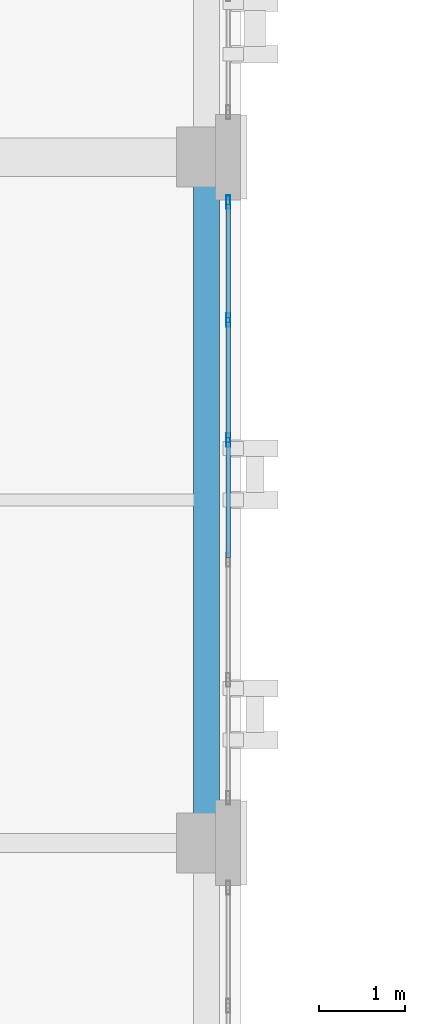
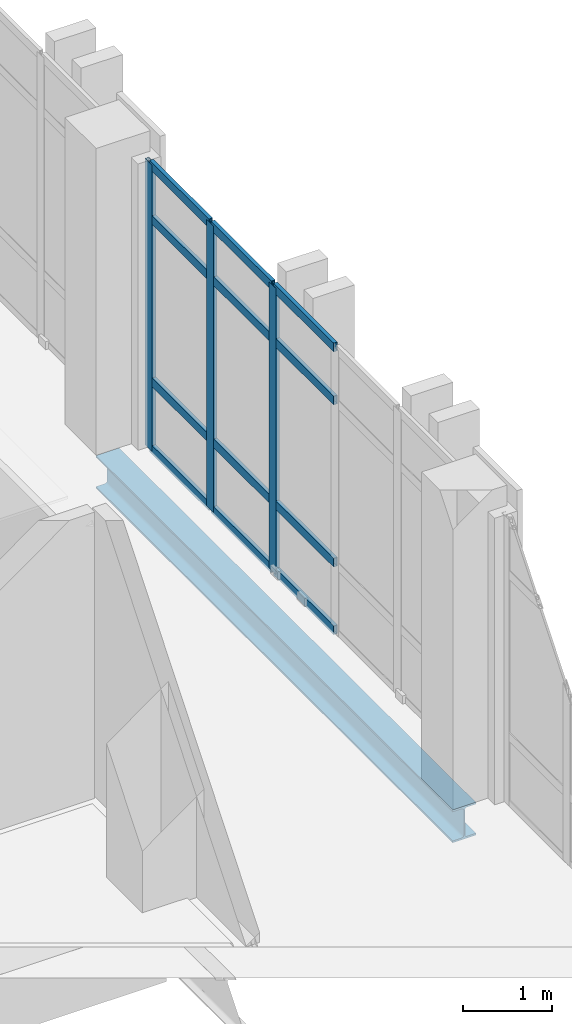
# One storey, part 34 of 165: 15 members, 1 beam, 1 element without a shape of its own.
"""IFC4 building model written with IfcOpenShell, lengths in metres."""

from ifc_helpers import new_model, si_unit, direction, frame, origin, origin_2d, place, context, subcontext, project, spatial, hollow_rectangle, i_section, extrude, material, layer, layer_set, material_profile, profile_set, type_object, element, aggregate, save


model = new_model("IFC4")

# Units and contexts
model_context = context("Model", 3, precision=1e-05, world=origin(), true_north=direction((0.0, 1.0)))
body_context = subcontext(model_context, "Body", "Model", "MODEL_VIEW")
ifc_project = project(units=[si_unit("LENGTHUNIT", "METRE"), si_unit("AREAUNIT", "SQUARE_METRE"), si_unit("VOLUMEUNIT", "CUBIC_METRE"), si_unit("PLANEANGLEUNIT", "RADIAN"), si_unit("MASSUNIT", "GRAM", prefix="KILO")], contexts=[model_context])

# Site, building, storey
site_placement = place(None, origin())
site = spatial("IfcSite", under=ifc_project, at=site_placement, CompositionType="ELEMENT")
building_placement = place(site_placement, origin())
building = spatial("IfcBuilding", under=site, at=building_placement, Name="Qalavern Law Courts", CompositionType="ELEMENT")
storey_placement = place(building_placement, frame((0.0, 0.0, 14.39990234375)))
storey = spatial("IfcBuildingStorey", under=building, at=storey_placement, Name="L03", CompositionType="ELEMENT", Elevation=14.39990234375)

# Curtain wall, members
ifc_material_1 = material(Name="Anodised aluminium and insulated glazing", Category="aluminium")
ifc_layer = layer(ifc_material_1, 0.172119140625)
ifc_layer_set = layer_set([ifc_layer], Name="Anodised aluminium and insulated glazing")
curtain_wall_type = type_object("IfcCurtainWallType", Name="ENV-CW-COURT", PredefinedType="USERDEFINED", material=ifc_layer_set)
curtain_wall_placement = place(storey_placement, origin())
curtain_wall = element("IfcCurtainWall", 1, at=curtain_wall_placement, inside=storey, type_object=curtain_wall_type, Name="V3 unitised curtain wall L03 east 3", ObjectType="UNITISED CURTAIN WALL", PredefinedType="USERDEFINED")
ifc_material_2 = material(Name="Anodised aluminium", Category="aluminium")
ifc_material_profile_1 = material_profile(ifc_material_2, hollow_rectangle(XDim=0.048095703125, YDim=0.159912109375, WallThickness=0.00390625, at=origin_2d()), Name="ALU MULLION 48x160")
ifc_profile_set_1 = profile_set([ifc_material_profile_1], Name="Anodised aluminium")
member_type_1 = type_object("IfcMemberType", Name="ENV-CWM-48x160", PredefinedType="MULLION", material=ifc_profile_set_1)
member_1_placement = place(storey_placement, frame((18.652587890625, 62.10009765625, 0.0), z_axis=(0.0, 0.0, 1.0), x_axis=(-1.0, 0.0, 0.0)))
member_1 = element("IfcMember", 2, at=member_1_placement, type_object=member_type_1, Name="CW-03 mullion 4", PredefinedType="MULLION", context=body_context, shape_type="SweptSolid", body=[
    extrude(hollow_rectangle(XDim=0.048095703125, YDim=0.159912109375, WallThickness=0.00390625, at=origin_2d()), origin(), (0.0, 0.0, 1.0), 3.920166015625),
])
member_2_placement = place(storey_placement, frame((18.652587890625, 63.5, 0.0), z_axis=(0.0, 0.0, 1.0), x_axis=(-1.0, 0.0, 0.0)))
member_2 = element("IfcMember", 3, at=member_2_placement, type_object=member_type_1, Name="CW-03 mullion 5", PredefinedType="MULLION", context=body_context, shape_type="SweptSolid", body=[
    extrude(hollow_rectangle(XDim=0.048095703125, YDim=0.159912109375, WallThickness=0.00390625, at=origin_2d()), origin(), (0.0, 0.0, 1.0), 3.920166015625),
])
member_3_placement = place(storey_placement, frame((18.652587890625, 64.8759765625, 0.0), z_axis=(0.0, 0.0, 1.0), x_axis=(-1.0, 0.0, 0.0)))
member_3 = element("IfcMember", 4, at=member_3_placement, type_object=member_type_1, Name="CW-03 mullion 6", PredefinedType="MULLION", context=body_context, shape_type="SweptSolid", body=[
    extrude(hollow_rectangle(XDim=0.048095703125, YDim=0.159912109375, WallThickness=0.00390625, at=origin_2d()), origin(), (0.0, 0.0, 1.0), 3.920166015625),
])
ifc_material_profile_2 = material_profile(ifc_material_2, hollow_rectangle(XDim=0.048095703125, YDim=0.1201171875, WallThickness=0.00390625, at=origin_2d()), Name="ALU TRANSOM 48x120")
ifc_profile_set_2 = profile_set([ifc_material_profile_2], Name="Anodised aluminium")
member_type_2 = type_object("IfcMemberType", Name="ENV-CWT-48x120", PredefinedType="USERDEFINED", material=ifc_profile_set_2)
member_4_placement = place(storey_placement, frame((18.652587890625, 60.72412109375, 0.024169921875), z_axis=(0.0, 1.0, 0.0), x_axis=(-1.0, 0.0, 0.0)))
member_4 = element("IfcMember", 5, at=member_4_placement, type_object=member_type_2, Name="CW-03 transom 3.1", ObjectType="TRANSOM", PredefinedType="USERDEFINED", context=body_context, shape_type="SweptSolid", body=[
    extrude(hollow_rectangle(XDim=0.048095703125, YDim=0.1201171875, WallThickness=0.00390625, at=origin_2d()), origin(), (0.0, 0.0, 1.0), 1.351806640625),
])
member_5_placement = place(storey_placement, frame((18.652587890625, 60.72412109375, 0.9501953125), z_axis=(0.0, 1.0, 0.0), x_axis=(-1.0, 0.0, 0.0)))
member_5 = element("IfcMember", 6, at=member_5_placement, type_object=member_type_2, Name="CW-03 transom 3.2", ObjectType="TRANSOM", PredefinedType="USERDEFINED", context=body_context, shape_type="SweptSolid", body=[
    extrude(hollow_rectangle(XDim=0.048095703125, YDim=0.1201171875, WallThickness=0.00390625, at=origin_2d()), origin(), (0.0, 0.0, 1.0), 1.351806640625),
])
member_6_placement = place(storey_placement, frame((18.652587890625, 60.72412109375, 3.170166015625), z_axis=(0.0, 1.0, 0.0), x_axis=(-1.0, 0.0, 0.0)))
member_6 = element("IfcMember", 7, at=member_6_placement, type_object=member_type_2, Name="CW-03 transom 3.3", ObjectType="TRANSOM", PredefinedType="USERDEFINED", context=body_context, shape_type="SweptSolid", body=[
    extrude(hollow_rectangle(XDim=0.048095703125, YDim=0.1201171875, WallThickness=0.00390625, at=origin_2d()), origin(), (0.0, 0.0, 1.0), 1.351806640625),
])
member_7_placement = place(storey_placement, frame((18.652587890625, 60.72412109375, 3.89599609375), z_axis=(0.0, 1.0, 0.0), x_axis=(-1.0, 0.0, 0.0)))
member_7 = element("IfcMember", 8, at=member_7_placement, type_object=member_type_2, Name="CW-03 transom 3.4", ObjectType="TRANSOM", PredefinedType="USERDEFINED", context=body_context, shape_type="SweptSolid", body=[
    extrude(hollow_rectangle(XDim=0.048095703125, YDim=0.1201171875, WallThickness=0.00390625, at=origin_2d()), origin(), (0.0, 0.0, 1.0), 1.351806640625),
])
member_8_placement = place(storey_placement, frame((18.652587890625, 62.1240234375, 0.024169921875), z_axis=(0.0, 1.0, 0.0), x_axis=(-1.0, 0.0, 0.0)))
member_8 = element("IfcMember", 9, at=member_8_placement, type_object=member_type_2, Name="CW-03 transom 4.1", ObjectType="TRANSOM", PredefinedType="USERDEFINED", context=body_context, shape_type="SweptSolid", body=[
    extrude(hollow_rectangle(XDim=0.048095703125, YDim=0.1201171875, WallThickness=0.00390625, at=origin_2d()), origin(), (0.0, 0.0, 1.0), 1.35205078125),
])
member_9_placement = place(storey_placement, frame((18.652587890625, 62.1240234375, 0.9501953125), z_axis=(0.0, 1.0, 0.0), x_axis=(-1.0, 0.0, 0.0)))
member_9 = element("IfcMember", 10, at=member_9_placement, type_object=member_type_2, Name="CW-03 transom 4.2", ObjectType="TRANSOM", PredefinedType="USERDEFINED", context=body_context, shape_type="SweptSolid", body=[
    extrude(hollow_rectangle(XDim=0.048095703125, YDim=0.1201171875, WallThickness=0.00390625, at=origin_2d()), origin(), (0.0, 0.0, 1.0), 1.35205078125),
])
member_10_placement = place(storey_placement, frame((18.652587890625, 62.1240234375, 3.170166015625), z_axis=(0.0, 1.0, 0.0), x_axis=(-1.0, 0.0, 0.0)))
member_10 = element("IfcMember", 11, at=member_10_placement, type_object=member_type_2, Name="CW-03 transom 4.3", ObjectType="TRANSOM", PredefinedType="USERDEFINED", context=body_context, shape_type="SweptSolid", body=[
    extrude(hollow_rectangle(XDim=0.048095703125, YDim=0.1201171875, WallThickness=0.00390625, at=origin_2d()), origin(), (0.0, 0.0, 1.0), 1.35205078125),
])
member_11_placement = place(storey_placement, frame((18.652587890625, 62.1240234375, 3.89599609375), z_axis=(0.0, 1.0, 0.0), x_axis=(-1.0, 0.0, 0.0)))
member_11 = element("IfcMember", 12, at=member_11_placement, type_object=member_type_2, Name="CW-03 transom 4.4", ObjectType="TRANSOM", PredefinedType="USERDEFINED", context=body_context, shape_type="SweptSolid", body=[
    extrude(hollow_rectangle(XDim=0.048095703125, YDim=0.1201171875, WallThickness=0.00390625, at=origin_2d()), origin(), (0.0, 0.0, 1.0), 1.35205078125),
])
member_12_placement = place(storey_placement, frame((18.652587890625, 63.52392578125, 0.024169921875), z_axis=(0.0, 1.0, 0.0), x_axis=(-1.0, 0.0, 0.0)))
member_12 = element("IfcMember", 13, at=member_12_placement, type_object=member_type_2, Name="CW-03 transom 5.1", ObjectType="TRANSOM", PredefinedType="USERDEFINED", context=body_context, shape_type="SweptSolid", body=[
    extrude(hollow_rectangle(XDim=0.048095703125, YDim=0.1201171875, WallThickness=0.00390625, at=origin_2d()), origin(), (0.0, 0.0, 1.0), 1.328125),
])
member_13_placement = place(storey_placement, frame((18.652587890625, 63.52392578125, 0.9501953125), z_axis=(0.0, 1.0, 0.0), x_axis=(-1.0, 0.0, 0.0)))
member_13 = element("IfcMember", 14, at=member_13_placement, type_object=member_type_2, Name="CW-03 transom 5.2", ObjectType="TRANSOM", PredefinedType="USERDEFINED", context=body_context, shape_type="SweptSolid", body=[
    extrude(hollow_rectangle(XDim=0.048095703125, YDim=0.1201171875, WallThickness=0.00390625, at=origin_2d()), origin(), (0.0, 0.0, 1.0), 1.328125),
])
member_14_placement = place(storey_placement, frame((18.652587890625, 63.52392578125, 3.170166015625), z_axis=(0.0, 1.0, 0.0), x_axis=(-1.0, 0.0, 0.0)))
member_14 = element("IfcMember", 15, at=member_14_placement, type_object=member_type_2, Name="CW-03 transom 5.3", ObjectType="TRANSOM", PredefinedType="USERDEFINED", context=body_context, shape_type="SweptSolid", body=[
    extrude(hollow_rectangle(XDim=0.048095703125, YDim=0.1201171875, WallThickness=0.00390625, at=origin_2d()), origin(), (0.0, 0.0, 1.0), 1.328125),
])
member_15_placement = place(storey_placement, frame((18.652587890625, 63.52392578125, 3.89599609375), z_axis=(0.0, 1.0, 0.0), x_axis=(-1.0, 0.0, 0.0)))
member_15 = element("IfcMember", 16, at=member_15_placement, type_object=member_type_2, Name="CW-03 transom 5.4", ObjectType="TRANSOM", PredefinedType="USERDEFINED", context=body_context, shape_type="SweptSolid", body=[
    extrude(hollow_rectangle(XDim=0.048095703125, YDim=0.1201171875, WallThickness=0.00390625, at=origin_2d()), origin(), (0.0, 0.0, 1.0), 1.328125),
])
aggregate(curtain_wall, [member_1, member_2, member_3, member_4, member_5, member_6, member_7, member_8, member_9, member_10, member_11, member_12, member_13, member_14, member_15])

# Beam
ifc_material_3 = material(Name="Steel S355", Category="steel")
ifc_material_profile_3 = material_profile(ifc_material_3, i_section(OverallWidth=0.300048828125, OverallDepth=0.449951171875, WebThickness=0.013916015625, FlangeThickness=0.02587890625, FilletRadius=0.027099609375, at=origin_2d()), Name="HEB 450")
ifc_profile_set_3 = profile_set([ifc_material_profile_3], Name="Steel S355")
beam_type = type_object("IfcBeamType", Name="STR-SP-HEB450", PredefinedType="SPANDREL", material=ifc_profile_set_3)
beam_placement = place(storey_placement, frame((18.39990234375, 57.39990234375, -0.510009765625), z_axis=(0.0, 1.0, 0.0), x_axis=(-1.0, 0.0, 0.0)))
element("IfcBeam", 17, at=beam_placement, inside=storey, type_object=beam_type, Name="V3 Y-beam 3-3 L03", PredefinedType="SPANDREL", context=body_context, shape_type="SweptSolid", body=[
    extrude(i_section(OverallWidth=0.300048828125, OverallDepth=0.449951171875, WebThickness=0.013916015625, FlangeThickness=0.02587890625, FilletRadius=0.027099609375, at=origin_2d()), origin(), (0.0, 0.0, 1.0), 8.0),
])

save(model, "model.ifc")
